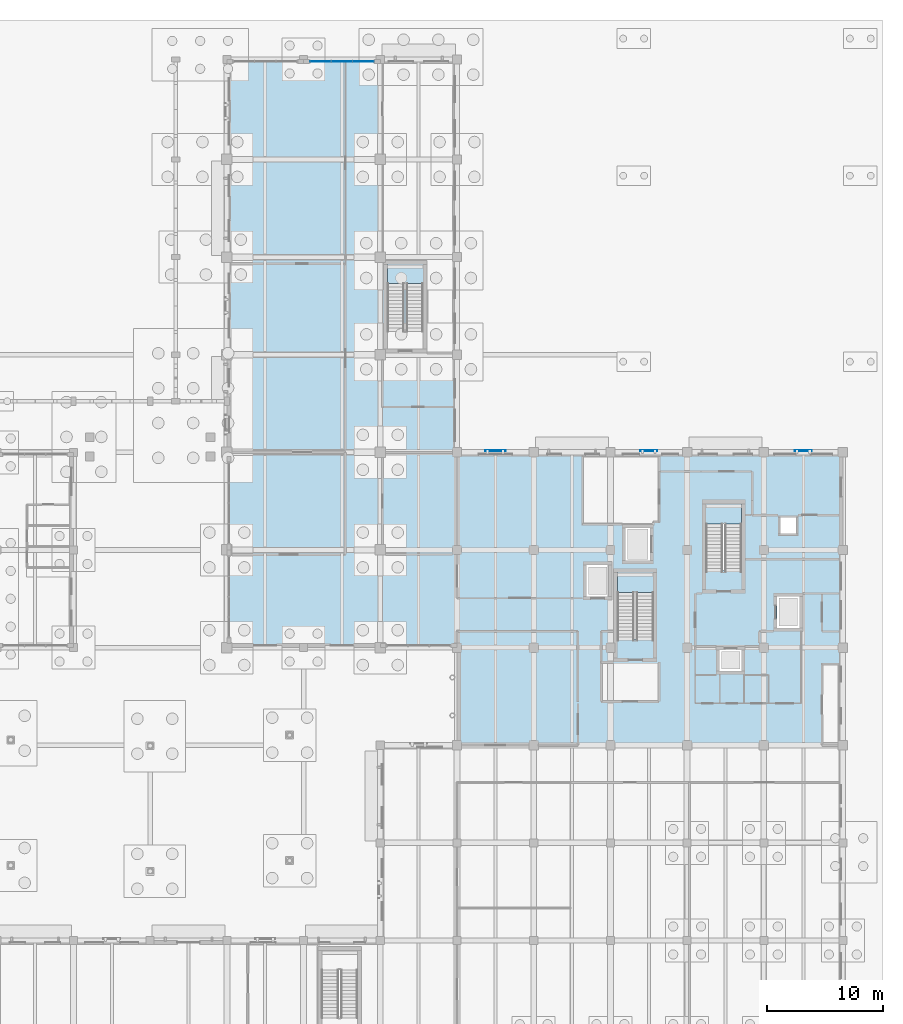
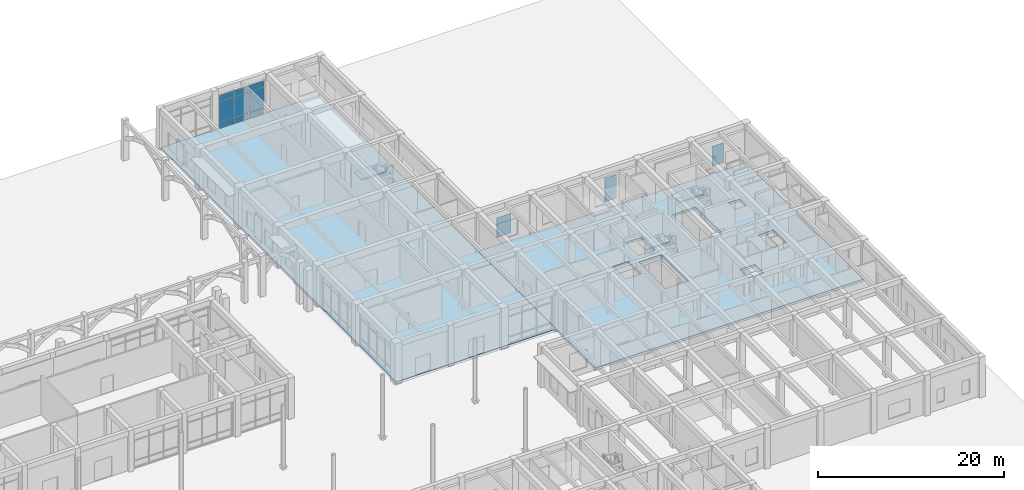
# One storey, part 46 of 82: 12 plates, 5 slabs, 4 elements without a shape of their own.
"""IFC4 building model written with IfcOpenShell, lengths in metres."""

from ifc_helpers import new_model, si_unit, direction, frame, origin, origin_2d, place, context, subcontext, project, spatial, polyline, rectangle, outline, extrude, material, layer, layer_set, type_object, element, aggregate, save


model = new_model("IFC4")

# Units and contexts
model_context = context("Model", 3, precision=1e-05, world=origin(), true_north=direction((0.0, 1.0)))
body_context = subcontext(model_context, "Body", "Model", "MODEL_VIEW")
ifc_project = project(units=[si_unit("LENGTHUNIT", "METRE"), si_unit("AREAUNIT", "SQUARE_METRE"), si_unit("VOLUMEUNIT", "CUBIC_METRE"), si_unit("PLANEANGLEUNIT", "RADIAN"), si_unit("MASSUNIT", "GRAM", prefix="KILO")], contexts=[model_context])

# Site, building, storey
site_placement = place(None, origin())
site = spatial("IfcSite", under=ifc_project, at=site_placement, CompositionType="ELEMENT")
building_placement = place(site_placement, origin())
building = spatial("IfcBuilding", under=site, at=building_placement, Name="Kolvaren Faculty of Natural Sciences", CompositionType="ELEMENT")
storey_placement = place(building_placement, origin())
storey = spatial("IfcBuildingStorey", under=building, at=storey_placement, Name="L00", CompositionType="ELEMENT", Elevation=0.0)

# Curtain wall, plates
ifc_material_1 = material(Name="Thermally broken anodised aluminium framing", Category="aluminium")
ifc_layer_1 = layer(ifc_material_1, 0.179931640625)
ifc_layer_set_1 = layer_set([ifc_layer_1], Name="Thermally broken anodised aluminium framing")
curtain_wall_type = type_object("IfcCurtainWallType", Name="CommonsCurtainWall_CW02", PredefinedType="NOTDEFINED", material=ifc_layer_set_1)
curtain_wall_placement = place(storey_placement, origin())
curtain_wall = element("IfcCurtainWall", 1, at=curtain_wall_placement, inside=storey, type_object=curtain_wall_type, Name="L00 unitised curtain wall CW-02 (CW-L00-017)", PredefinedType="NOTDEFINED")
ifc_material_2 = material(Name="Double low-E solar control insulated glazing", Category="glass")
ifc_layer_2 = layer(ifc_material_2, 0.035888671875)
ifc_layer_set_2 = layer_set([ifc_layer_2], Name="Double low-E solar control insulated glazing")
plate_type_1 = type_object("IfcPlateType", Name="EnvelopePlate_CWPGL1", PredefinedType="CURTAIN_PANEL", material=ifc_layer_set_2)
plate_1_placement = place(storey_placement, frame((127.066650390625, 117.830078125, 0.919921875), z_axis=(0.0, 0.0, 1.0), x_axis=(1.0, 0.0, 0.0)))
plate_1 = element("IfcPlate", 2, at=plate_1_placement, type_object=plate_type_1, Name="CW-L00-017 panel 1 V1", PredefinedType="CURTAIN_PANEL", context=body_context, shape_type="SweptSolid", body=[
    extrude(rectangle(XDim=1.783203125, YDim=0.035888671875, at=origin_2d()), origin(), (0.0, 0.0, 1.0), 2.64501953125),
])
plate_2_placement = place(storey_placement, frame((128.89990234375, 117.830078125, 0.919921875), z_axis=(0.0, 0.0, 1.0), x_axis=(1.0, 0.0, 0.0)))
plate_2 = element("IfcPlate", 3, at=plate_2_placement, type_object=plate_type_1, Name="CW-L00-017 panel 2 V1", PredefinedType="CURTAIN_PANEL", context=body_context, shape_type="SweptSolid", body=[
    extrude(rectangle(XDim=1.783203125, YDim=0.035888671875, at=origin_2d()), origin(), (0.0, 0.0, 1.0), 2.64501953125),
])
plate_3_placement = place(storey_placement, frame((130.7333984375, 117.830078125, 0.919921875), z_axis=(0.0, 0.0, 1.0), x_axis=(1.0, 0.0, 0.0)))
plate_3 = element("IfcPlate", 4, at=plate_3_placement, type_object=plate_type_1, Name="CW-L00-017 panel 3 V1", PredefinedType="CURTAIN_PANEL", context=body_context, shape_type="SweptSolid", body=[
    extrude(rectangle(XDim=1.783203125, YDim=0.035888671875, at=origin_2d()), origin(), (0.0, 0.0, 1.0), 2.64501953125),
])
ifc_layer_3 = layer(ifc_material_2, 0.035888671875)
ifc_layer_set_3 = layer_set([ifc_layer_3], Name="Double low-E solar control insulated glazing")
plate_type_2 = type_object("IfcPlateType", Name="EnvelopePlate_CWPGL2", PredefinedType="CURTAIN_PANEL", material=ifc_layer_set_3)
plate_4_placement = place(storey_placement, frame((127.066650390625, 117.830078125, 3.60498046875), z_axis=(0.0, 0.0, 1.0), x_axis=(1.0, 0.0, 0.0)))
plate_4 = element("IfcPlate", 5, at=plate_4_placement, type_object=plate_type_2, Name="CW-L00-017 panel 1 V2", PredefinedType="CURTAIN_PANEL", context=body_context, shape_type="SweptSolid", body=[
    extrude(rectangle(XDim=1.783203125, YDim=0.035888671875, at=origin_2d()), origin(), (0.0, 0.0, 1.0), 0.830078125),
])
plate_5_placement = place(storey_placement, frame((128.89990234375, 117.830078125, 3.60498046875), z_axis=(0.0, 0.0, 1.0), x_axis=(1.0, 0.0, 0.0)))
plate_5 = element("IfcPlate", 6, at=plate_5_placement, type_object=plate_type_2, Name="CW-L00-017 panel 2 V2", PredefinedType="CURTAIN_PANEL", context=body_context, shape_type="SweptSolid", body=[
    extrude(rectangle(XDim=1.783203125, YDim=0.035888671875, at=origin_2d()), origin(), (0.0, 0.0, 1.0), 0.830078125),
])
plate_6_placement = place(storey_placement, frame((130.7333984375, 117.830078125, 3.60498046875), z_axis=(0.0, 0.0, 1.0), x_axis=(1.0, 0.0, 0.0)))
plate_6 = element("IfcPlate", 7, at=plate_6_placement, type_object=plate_type_2, Name="CW-L00-017 panel 3 V2", PredefinedType="CURTAIN_PANEL", context=body_context, shape_type="SweptSolid", body=[
    extrude(rectangle(XDim=1.783203125, YDim=0.035888671875, at=origin_2d()), origin(), (0.0, 0.0, 1.0), 0.830078125),
])
ifc_material_3 = material(Name="Insulated anodised aluminium spandrel panel", Category="aluminium")
ifc_layer_4 = layer(ifc_material_3, 0.050048828125)
ifc_layer_set_4 = layer_set([ifc_layer_4], Name="Insulated anodised aluminium spandrel panel")
plate_type_3 = type_object("IfcPlateType", Name="EnvelopePlate_CWPSP1", PredefinedType="SHEET", material=ifc_layer_set_4)
plate_7_placement = place(storey_placement, frame((127.066650390625, 117.830078125, 0.10009765625), z_axis=(0.0, 0.0, 1.0), x_axis=(1.0, 0.0, 0.0)))
plate_7 = element("IfcPlate", 8, at=plate_7_placement, type_object=plate_type_3, Name="CW-L00-017 panel 1 SP", PredefinedType="SHEET", context=body_context, shape_type="SweptSolid", body=[
    extrude(rectangle(XDim=1.783203125, YDim=0.050048828125, at=origin_2d()), origin(), (0.0, 0.0, 1.0), 0.780029296875),
])
plate_8_placement = place(storey_placement, frame((128.89990234375, 117.830078125, 0.10009765625), z_axis=(0.0, 0.0, 1.0), x_axis=(1.0, 0.0, 0.0)))
plate_8 = element("IfcPlate", 9, at=plate_8_placement, type_object=plate_type_3, Name="CW-L00-017 panel 2 SP", PredefinedType="SHEET", context=body_context, shape_type="SweptSolid", body=[
    extrude(rectangle(XDim=1.783203125, YDim=0.050048828125, at=origin_2d()), origin(), (0.0, 0.0, 1.0), 0.780029296875),
])
plate_9_placement = place(storey_placement, frame((130.7333984375, 117.830078125, 0.10009765625), z_axis=(0.0, 0.0, 1.0), x_axis=(1.0, 0.0, 0.0)))
plate_9 = element("IfcPlate", 10, at=plate_9_placement, type_object=plate_type_3, Name="CW-L00-017 panel 3 SP", PredefinedType="SHEET", context=body_context, shape_type="SweptSolid", body=[
    extrude(rectangle(XDim=1.783203125, YDim=0.050048828125, at=origin_2d()), origin(), (0.0, 0.0, 1.0), 0.780029296875),
])
aggregate(curtain_wall, [plate_7, plate_1, plate_4, plate_8, plate_2, plate_5, plate_9, plate_3, plate_6])

# Plates
ifc_material_4 = material(Name="Extruded architectural terracotta screen", Category="masonry")
ifc_layer_5 = layer(ifc_material_4, 0.06494140625)
ifc_layer_set_5 = layer_set([ifc_layer_5], Name="Extruded architectural terracotta screen")
plate_type_4 = type_object("IfcPlateType", Name="EnvelopePlate_JL01", PredefinedType="USERDEFINED", material=ifc_layer_set_5)
plate_10_placement = place(storey_placement, frame((168.60009765625, 84.340087890625, 0.849853515625), z_axis=(0.0, 0.0, 1.0), x_axis=(1.0, 0.0, 0.0)))
element("IfcPlate", 11, at=plate_10_placement, inside=storey, type_object=plate_type_4, Name="L00 perforated terracotta jali sun screen JL-01", ObjectType="SCREEN", PredefinedType="USERDEFINED", context=body_context, shape_type="SweptSolid", body=[
    extrude(rectangle(XDim=1.449951171875, YDim=0.06494140625, at=origin_2d()), origin(), (0.0, 0.0, 1.0), 2.60009765625),
])
ifc_layer_6 = layer(ifc_material_4, 0.06494140625)
ifc_layer_set_6 = layer_set([ifc_layer_6], Name="Extruded architectural terracotta screen")
plate_type_5 = type_object("IfcPlateType", Name="EnvelopePlate_JL02", PredefinedType="USERDEFINED", material=ifc_layer_set_6)
plate_11_placement = place(storey_placement, frame((142.10009765625, 84.340087890625, 0.849853515625), z_axis=(0.0, 0.0, 1.0), x_axis=(1.0, 0.0, 0.0)))
element("IfcPlate", 12, at=plate_11_placement, inside=storey, type_object=plate_type_5, Name="L00 perforated terracotta jali sun screen JL-02", ObjectType="SCREEN", PredefinedType="USERDEFINED", context=body_context, shape_type="SweptSolid", body=[
    extrude(rectangle(XDim=1.75, YDim=0.06494140625, at=origin_2d()), origin(), (0.0, 0.0, 1.0), 2.60009765625),
])
ifc_layer_7 = layer(ifc_material_4, 0.06494140625)
ifc_layer_set_7 = layer_set([ifc_layer_7], Name="Extruded architectural terracotta screen")
plate_type_6 = type_object("IfcPlateType", Name="EnvelopePlate_JL03", PredefinedType="USERDEFINED", material=ifc_layer_set_7)
plate_12_placement = place(storey_placement, frame((155.300048828125, 84.340087890625, 0.849853515625), z_axis=(0.0, 0.0, 1.0), x_axis=(1.0, 0.0, 0.0)))
element("IfcPlate", 13, at=plate_12_placement, inside=storey, type_object=plate_type_6, Name="L00 perforated terracotta jali sun screen JL-03", ObjectType="SCREEN", PredefinedType="USERDEFINED", context=body_context, shape_type="SweptSolid", body=[
    extrude(rectangle(XDim=1.449951171875, YDim=0.06494140625, at=origin_2d()), origin(), (0.0, 0.0, 1.0), 3.10009765625),
])

# Slabs
ifc_material_5 = material(Name="Concrete C35/45", Category="concrete")
ifc_layer_8 = layer(ifc_material_5, 0.320068359375)
ifc_layer_set_8 = layer_set([ifc_layer_8], Name="Concrete C35/45")
slab_type_1 = type_object("IfcSlabType", Name="GroundSlab_320", PredefinedType="FLOOR", material=ifc_layer_set_8)
slab_1_placement = place(storey_placement, frame((0.0, 0.0, -0.320068359375)))
element("IfcSlab", 14, at=slab_1_placement, inside=storey, type_object=slab_type_1, Name="L00 V2 structural slab 2", PredefinedType="FLOOR", context=body_context, shape_type="SweptSolid", body=[
    extrude(outline(polyline([(119.0, 118.0), (138.800048828125, 118.0), (138.800048828125, 84.199951171875), (138.800048828125, 67.39990234375), (119.0, 67.39990234375), (119.0, 84.199951171875), (119.0, 118.0)])), origin(), (0.0, 0.0, 1.0), 0.320068359375),
])
slab_2_placement = place(storey_placement, frame((0.0, 0.0, -0.320068359375)))
element("IfcSlab", 15, at=slab_2_placement, inside=storey, type_object=slab_type_1, Name="L00 V6 structural slab 1", PredefinedType="FLOOR", context=body_context, shape_type="SweptSolid", body=[
    extrude(outline(polyline([(138.800048828125, 59.0), (138.800048828125, 84.199951171875), (172.0, 84.199951171875), (172.0, 59.0), (138.800048828125, 59.0)]), holes=[polyline([(168.25, 71.800048828125), (166.35009765625, 71.800048828125), (166.35009765625, 69.10009765625), (168.25, 69.10009765625), (168.25, 71.800048828125)]), polyline([(168.0, 78.60009765625), (166.60009765625, 78.60009765625), (166.60009765625, 77.199951171875), (168.0, 77.199951171875), (168.0, 78.60009765625)]), polyline([(161.39990234375, 67.199951171875), (161.39990234375, 65.39990234375), (163.300048828125, 65.39990234375), (163.300048828125, 67.199951171875), (161.39990234375, 67.199951171875)]), polyline([(163.179931640625, 79.679931640625), (160.320068359375, 79.679931640625), (160.320068359375, 74.02001953125), (163.179931640625, 74.02001953125), (163.179931640625, 79.679931640625)]), polyline([(155.580078125, 73.780029296875), (152.719970703125, 73.780029296875), (152.719970703125, 68.1201171875), (155.580078125, 68.1201171875), (155.580078125, 73.780029296875)]), polyline([(155.39990234375, 77.699951171875), (153.300048828125, 77.699951171875), (153.300048828125, 74.89990234375), (155.39990234375, 74.89990234375), (155.39990234375, 77.699951171875)]), polyline([(151.85009765625, 74.5), (149.949951171875, 74.5), (149.949951171875, 71.800048828125), (151.85009765625, 71.800048828125), (151.85009765625, 74.5)])]), origin(), (0.0, 0.0, 1.0), 0.320068359375),
])

# Stair, slab
stair_type = type_object("IfcStairType", Name="DoglegStair_H5400", PredefinedType="HALF_TURN_STAIR", material=ifc_material_5)
stair_1_placement = place(storey_placement, origin())
stair_1 = element("IfcStair", 16, at=stair_1_placement, inside=storey, type_object=stair_type, Name="L00 Protected exit stair ST-1", PredefinedType="HALF_TURN_STAIR")
ifc_layer_9 = layer(ifc_material_5, 0.199951171875)
ifc_layer_set_9 = layer_set([ifc_layer_9], Name="Concrete C35/45")
slab_type_2 = type_object("IfcSlabType", Name="StairLandingSlab_200", PredefinedType="LANDING", material=ifc_layer_set_9)
slab_3_placement = place(storey_placement, frame((0.0, 0.0, 2.5)))
slab_3 = element("IfcSlab", 17, at=slab_3_placement, type_object=slab_type_2, Name="ST-1 landing 1", PredefinedType="LANDING", context=body_context, shape_type="SweptSolid", body=[
    extrude(outline(polyline([(163.300048828125, 78.030029296875), (163.300048828125, 79.800048828125), (160.199951171875, 79.800048828125), (160.199951171875, 78.030029296875), (163.300048828125, 78.030029296875)])), origin(), (0.0, 0.0, 1.0), 0.199951171875),
])
aggregate(stair_1, [slab_3])

stair_2_placement = place(storey_placement, origin())
stair_2 = element("IfcStair", 18, at=stair_2_placement, inside=storey, type_object=stair_type, Name="L00 Protected exit stair ST-2", PredefinedType="HALF_TURN_STAIR")
slab_4_placement = place(storey_placement, frame((0.0, 0.0, 2.5)))
slab_4 = element("IfcSlab", 19, at=slab_4_placement, type_object=slab_type_2, Name="ST-2 landing 1", PredefinedType="LANDING", context=body_context, shape_type="SweptSolid", body=[
    extrude(outline(polyline([(155.699951171875, 72.1298828125), (155.699951171875, 73.89990234375), (152.60009765625, 73.89990234375), (152.60009765625, 72.1298828125), (155.699951171875, 72.1298828125)])), origin(), (0.0, 0.0, 1.0), 0.199951171875),
])
aggregate(stair_2, [slab_4])

stair_3_placement = place(storey_placement, origin())
stair_3 = element("IfcStair", 20, at=stair_3_placement, inside=storey, type_object=stair_type, Name="L00 Protected exit stair ST-7", PredefinedType="HALF_TURN_STAIR")
slab_5_placement = place(storey_placement, frame((0.0, 0.0, 2.5)))
slab_5 = element("IfcSlab", 21, at=slab_5_placement, type_object=slab_type_2, Name="ST-7 landing 1", PredefinedType="LANDING", context=body_context, shape_type="SweptSolid", body=[
    extrude(outline(polyline([(135.89990234375, 98.72998046875), (135.89990234375, 100.39990234375), (132.800048828125, 100.39990234375), (132.800048828125, 98.72998046875), (135.89990234375, 98.72998046875)])), origin(), (0.0, 0.0, 1.0), 0.199951171875),
])
aggregate(stair_3, [slab_5])

save(model, "model.ifc")
